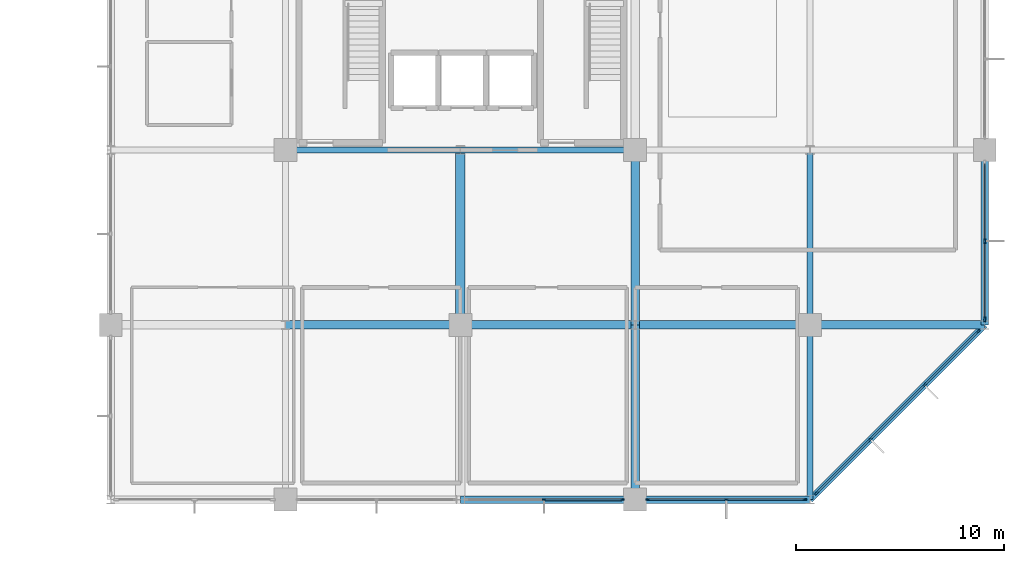
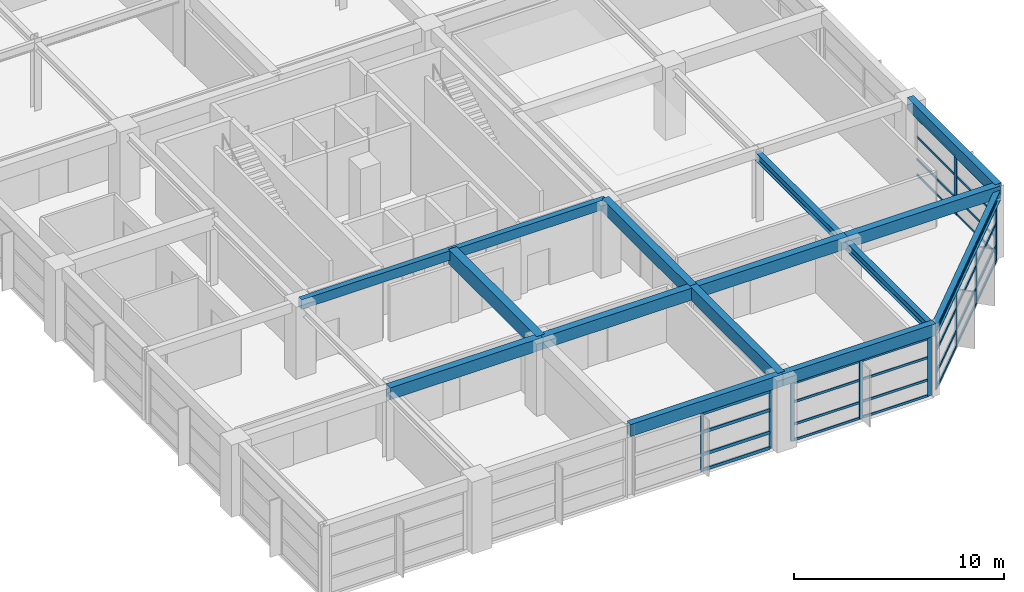
# One storey, part 7 of 18: 43 members, 15 beams, 4 elements without a shape of their own.
"""IFC4 building model written with IfcOpenShell, lengths in metres."""

from ifc_helpers import new_model, si_unit, direction, frame, origin, origin_2d, place, context, subcontext, project, spatial, rectangle, i_section, extrude, material, material_profile, profile_set, type_object, element, aggregate, save


model = new_model("IFC4")

# Units and contexts
model_context = context("Model", 3, precision=1e-05, world=origin(), true_north=direction((0.0, 1.0)))
body_context = subcontext(model_context, "Body", "Model", "MODEL_VIEW")
ifc_project = project(units=[si_unit("LENGTHUNIT", "METRE"), si_unit("AREAUNIT", "SQUARE_METRE"), si_unit("VOLUMEUNIT", "CUBIC_METRE"), si_unit("PLANEANGLEUNIT", "RADIAN"), si_unit("MASSUNIT", "GRAM", prefix="KILO")], contexts=[model_context])

# Site, building, storey
site_placement = place(None, origin())
site = spatial("IfcSite", under=ifc_project, at=site_placement, CompositionType="ELEMENT")
building_placement = place(site_placement, origin())
building = spatial("IfcBuilding", under=site, at=building_placement, Name="Xuanlan Plaza Opera House", CompositionType="ELEMENT")
storey_placement = place(building_placement, frame((0.0, 0.0, 32.10009765625)))
storey = spatial("IfcBuildingStorey", under=building, at=storey_placement, Name="L07", CompositionType="ELEMENT", Elevation=32.10009765625)

# Curtain wall, members
ifc_material_1 = material(Name="Anodised Aluminium 6063-T6 and Low-E Glass", Category="aluminium")
curtain_wall_type_1 = type_object("IfcCurtainWallType", Name="ENV-CW-CW-04", PredefinedType="USERDEFINED", material=ifc_material_1)
curtain_wall_1_placement = place(storey_placement, origin())
curtain_wall_1 = element("IfcCurtainWall", 1, at=curtain_wall_1_placement, inside=storey, type_object=curtain_wall_type_1, Name="Unitised Curtain Wall L07-003", ObjectType="UNITISED CURTAIN WALL", PredefinedType="USERDEFINED")
ifc_material_2 = material(Name="Anodised Aluminium 6063-T6", Category="aluminium")
ifc_material_profile_1 = material_profile(ifc_material_2, rectangle(XDim=0.070068359375, YDim=0.179931640625, at=origin_2d()), Name="ALU-M 70x180")
ifc_profile_set_1 = profile_set([ifc_material_profile_1], Name="Anodised Aluminium 6063-T6")
member_type_1 = type_object("IfcMemberType", Name="ENV-CWM-02", PredefinedType="MULLION", material=ifc_profile_set_1)
member_1_placement = place(storey_placement, frame((146.824951171875, 33.60009765625, 0.0), z_axis=(0.0, 0.0, 1.0), x_axis=(0.0, 1.0, 0.0)))
member_1 = element("IfcMember", 2, at=member_1_placement, type_object=member_type_1, Name="CW-04 mullion 2", PredefinedType="MULLION", context=body_context, shape_type="SweptSolid", body=[
    extrude(rectangle(XDim=0.070068359375, YDim=0.179931640625, at=origin_2d()), origin(), (0.0, 0.0, 1.0), 3.3798828125),
])
member_2_placement = place(storey_placement, frame((150.594970703125, 33.60009765625, 0.0), z_axis=(0.0, 0.0, 1.0), x_axis=(0.0, 1.0, 0.0)))
member_2 = element("IfcMember", 3, at=member_2_placement, type_object=member_type_1, Name="CW-04 mullion 3", PredefinedType="MULLION", context=body_context, shape_type="SweptSolid", body=[
    extrude(rectangle(XDim=0.070068359375, YDim=0.179931640625, at=origin_2d()), origin(), (0.0, 0.0, 1.0), 3.3798828125),
])

curtain_wall_type_2 = type_object("IfcCurtainWallType", Name="ENV-CW-CW-01", PredefinedType="USERDEFINED", material=ifc_material_1)
curtain_wall_2_placement = place(storey_placement, origin())
curtain_wall_2 = element("IfcCurtainWall", 4, at=curtain_wall_2_placement, inside=storey, type_object=curtain_wall_type_2, Name="Unitised Curtain Wall L07-004", ObjectType="UNITISED CURTAIN WALL", PredefinedType="USERDEFINED")
ifc_material_profile_2 = material_profile(ifc_material_2, rectangle(XDim=0.074951171875, YDim=0.199951171875, at=origin_2d()), Name="ALU-M 75x200")
ifc_profile_set_2 = profile_set([ifc_material_profile_2], Name="Anodised Aluminium 6063-T6")
member_type_2 = type_object("IfcMemberType", Name="ENV-CWM-03", PredefinedType="MULLION", material=ifc_profile_set_2)
member_3_placement = place(storey_placement, frame((151.8076171875, 33.60009765625, 0.0), z_axis=(0.0, 0.0, 1.0), x_axis=(0.0, 1.0, 0.0)))
member_3 = element("IfcMember", 5, at=member_3_placement, type_object=member_type_2, Name="CW-01 mullion 1", PredefinedType="MULLION", context=body_context, shape_type="SweptSolid", body=[
    extrude(rectangle(XDim=0.074951171875, YDim=0.199951171875, at=origin_2d()), origin(), (0.0, 0.0, 1.0), 3.3798828125),
])
member_4_placement = place(storey_placement, frame((155.574951171875, 33.60009765625, 0.0), z_axis=(0.0, 0.0, 1.0), x_axis=(0.0, 1.0, 0.0)))
member_4 = element("IfcMember", 6, at=member_4_placement, type_object=member_type_2, Name="CW-01 mullion 2", PredefinedType="MULLION", context=body_context, shape_type="SweptSolid", body=[
    extrude(rectangle(XDim=0.074951171875, YDim=0.199951171875, at=origin_2d()), origin(), (0.0, 0.0, 1.0), 3.3798828125),
])
member_5_placement = place(storey_placement, frame((159.342529296875, 33.60009765625, 0.0), z_axis=(0.0, 0.0, 1.0), x_axis=(0.0, 1.0, 0.0)))
member_5 = element("IfcMember", 7, at=member_5_placement, type_object=member_type_2, Name="CW-01 mullion 3", PredefinedType="MULLION", context=body_context, shape_type="SweptSolid", body=[
    extrude(rectangle(XDim=0.074951171875, YDim=0.199951171875, at=origin_2d()), origin(), (0.0, 0.0, 1.0), 3.3798828125),
])

curtain_wall_type_3 = type_object("IfcCurtainWallType", Name="ENV-CW-CW-02", PredefinedType="USERDEFINED", material=ifc_material_1)
curtain_wall_3_placement = place(storey_placement, origin())
curtain_wall_3 = element("IfcCurtainWall", 8, at=curtain_wall_3_placement, inside=storey, type_object=curtain_wall_type_3, Name="Unitised Curtain Wall L07-005", ObjectType="UNITISED CURTAIN WALL", PredefinedType="USERDEFINED")
ifc_material_profile_3 = material_profile(ifc_material_2, rectangle(XDim=0.080078125, YDim=0.219970703125, at=origin_2d()), Name="ALU-M 80x220")
ifc_profile_set_3 = profile_set([ifc_material_profile_3], Name="Anodised Aluminium 6063-T6")
member_type_3 = type_object("IfcMemberType", Name="ENV-CWM-04", PredefinedType="MULLION", material=ifc_profile_set_3)
member_6_placement = place(storey_placement, frame((159.92724609375, 33.92724609375, 0.0), z_axis=(0.0, 0.0, 1.0), x_axis=(-0.707106781187, 0.707106781187, 0.0)))
member_6 = element("IfcMember", 9, at=member_6_placement, type_object=member_type_3, Name="CW-02 mullion 1", PredefinedType="MULLION", context=body_context, shape_type="SweptSolid", body=[
    extrude(rectangle(XDim=0.080078125, YDim=0.219970703125, at=origin_2d()), origin(), (0.0, 0.0, 1.0), 3.3798828125),
])
member_7_placement = place(storey_placement, frame((162.499755859375, 36.499755859375, 0.0), z_axis=(0.0, 0.0, 1.0), x_axis=(-0.707106781187, 0.707106781187, 0.0)))
member_7 = element("IfcMember", 10, at=member_7_placement, type_object=member_type_3, Name="CW-02 mullion 2", PredefinedType="MULLION", context=body_context, shape_type="SweptSolid", body=[
    extrude(rectangle(XDim=0.080078125, YDim=0.219970703125, at=origin_2d()), origin(), (0.0, 0.0, 1.0), 3.3798828125),
])
member_8_placement = place(storey_placement, frame((165.100341796875, 39.100341796875, 0.0), z_axis=(0.0, 0.0, 1.0), x_axis=(-0.707106781187, 0.707106781187, 0.0)))
member_8 = element("IfcMember", 11, at=member_8_placement, type_object=member_type_3, Name="CW-02 mullion 3", PredefinedType="MULLION", context=body_context, shape_type="SweptSolid", body=[
    extrude(rectangle(XDim=0.080078125, YDim=0.219970703125, at=origin_2d()), origin(), (0.0, 0.0, 1.0), 3.3798828125),
])
member_9_placement = place(storey_placement, frame((167.672607421875, 41.672607421875, 0.0), z_axis=(0.0, 0.0, 1.0), x_axis=(-0.707106781187, 0.707106781187, 0.0)))
member_9 = element("IfcMember", 12, at=member_9_placement, type_object=member_type_3, Name="CW-02 mullion 4", PredefinedType="MULLION", context=body_context, shape_type="SweptSolid", body=[
    extrude(rectangle(XDim=0.080078125, YDim=0.219970703125, at=origin_2d()), origin(), (0.0, 0.0, 1.0), 3.3798828125),
])

curtain_wall_type_4 = type_object("IfcCurtainWallType", Name="ENV-CW-CW-03", PredefinedType="USERDEFINED", material=ifc_material_1)
curtain_wall_4_placement = place(storey_placement, origin())
curtain_wall_4 = element("IfcCurtainWall", 13, at=curtain_wall_4_placement, inside=storey, type_object=curtain_wall_type_4, Name="Unitised Curtain Wall L07-006", ObjectType="UNITISED CURTAIN WALL", PredefinedType="USERDEFINED")
ifc_material_profile_4 = material_profile(ifc_material_2, rectangle(XDim=0.090087890625, YDim=0.25, at=origin_2d()), Name="ALU-M 90x250")
ifc_profile_set_4 = profile_set([ifc_material_profile_4], Name="Anodised Aluminium 6063-T6")
member_type_4 = type_object("IfcMemberType", Name="ENV-CWM-05", PredefinedType="MULLION", material=ifc_profile_set_4)
member_10_placement = place(storey_placement, frame((168.0, 42.264892578125, 0.0), z_axis=(0.0, 0.0, 1.0), x_axis=(-1.0, 0.0, 0.0)))
member_10 = element("IfcMember", 14, at=member_10_placement, type_object=member_type_4, Name="CW-03 mullion 1", PredefinedType="MULLION", context=body_context, shape_type="SweptSolid", body=[
    extrude(rectangle(XDim=0.090087890625, YDim=0.25, at=origin_2d()), origin(), (0.0, 0.0, 1.0), 3.3798828125),
])
member_11_placement = place(storey_placement, frame((168.0, 46.02490234375, 0.0), z_axis=(0.0, 0.0, 1.0), x_axis=(-1.0, 0.0, 0.0)))
member_11 = element("IfcMember", 15, at=member_11_placement, type_object=member_type_4, Name="CW-03 mullion 2", PredefinedType="MULLION", context=body_context, shape_type="SweptSolid", body=[
    extrude(rectangle(XDim=0.090087890625, YDim=0.25, at=origin_2d()), origin(), (0.0, 0.0, 1.0), 3.3798828125),
])
ifc_material_profile_5 = material_profile(ifc_material_2, rectangle(XDim=0.06494140625, YDim=0.1201171875, at=origin_2d()), Name="ALU-T 65x120")
ifc_profile_set_5 = profile_set([ifc_material_profile_5], Name="Anodised Aluminium 6063-T6")
member_type_5 = type_object("IfcMemberType", Name="ENV-CWT-01", PredefinedType="USERDEFINED", material=ifc_profile_set_5)
member_12_placement = place(storey_placement, frame((168.0, 42.31005859375, 0.032470703125), z_axis=(0.0, 1.0, 0.0), x_axis=(-1.0, 0.0, 0.0)))
member_12 = element("IfcMember", 16, at=member_12_placement, type_object=member_type_5, Name="CW-03 transom 1.1", ObjectType="TRANSOM", PredefinedType="USERDEFINED", context=body_context, shape_type="SweptSolid", body=[
    extrude(rectangle(XDim=0.06494140625, YDim=0.1201171875, at=origin_2d()), origin(), (0.0, 0.0, 1.0), 3.669921875),
])
member_13_placement = place(storey_placement, frame((168.0, 42.31005859375, 0.949951171875), z_axis=(0.0, 1.0, 0.0), x_axis=(-1.0, 0.0, 0.0)))
member_13 = element("IfcMember", 17, at=member_13_placement, type_object=member_type_5, Name="CW-03 transom 1.2", ObjectType="TRANSOM", PredefinedType="USERDEFINED", context=body_context, shape_type="SweptSolid", body=[
    extrude(rectangle(XDim=0.06494140625, YDim=0.1201171875, at=origin_2d()), origin(), (0.0, 0.0, 1.0), 3.669921875),
])
member_14_placement = place(storey_placement, frame((168.0, 42.31005859375, 2.25), z_axis=(0.0, 1.0, 0.0), x_axis=(-1.0, 0.0, 0.0)))
member_14 = element("IfcMember", 18, at=member_14_placement, type_object=member_type_5, Name="CW-03 transom 1.3", ObjectType="TRANSOM", PredefinedType="USERDEFINED", context=body_context, shape_type="SweptSolid", body=[
    extrude(rectangle(XDim=0.06494140625, YDim=0.1201171875, at=origin_2d()), origin(), (0.0, 0.0, 1.0), 3.669921875),
])
member_15_placement = place(storey_placement, frame((168.0, 42.31005859375, 3.347412109375), z_axis=(0.0, 1.0, 0.0), x_axis=(-1.0, 0.0, 0.0)))
member_15 = element("IfcMember", 19, at=member_15_placement, type_object=member_type_5, Name="CW-03 transom 1.4", ObjectType="TRANSOM", PredefinedType="USERDEFINED", context=body_context, shape_type="SweptSolid", body=[
    extrude(rectangle(XDim=0.06494140625, YDim=0.1201171875, at=origin_2d()), origin(), (0.0, 0.0, 1.0), 3.669921875),
])
member_16_placement = place(storey_placement, frame((168.0, 46.070068359375, 0.032470703125), z_axis=(0.0, 1.0, 0.0), x_axis=(-1.0, 0.0, 0.0)))
member_16 = element("IfcMember", 20, at=member_16_placement, type_object=member_type_5, Name="CW-03 transom 2.1", ObjectType="TRANSOM", PredefinedType="USERDEFINED", context=body_context, shape_type="SweptSolid", body=[
    extrude(rectangle(XDim=0.06494140625, YDim=0.1201171875, at=origin_2d()), origin(), (0.0, 0.0, 1.0), 3.669921875),
])
member_17_placement = place(storey_placement, frame((168.0, 46.070068359375, 0.949951171875), z_axis=(0.0, 1.0, 0.0), x_axis=(-1.0, 0.0, 0.0)))
member_17 = element("IfcMember", 21, at=member_17_placement, type_object=member_type_5, Name="CW-03 transom 2.2", ObjectType="TRANSOM", PredefinedType="USERDEFINED", context=body_context, shape_type="SweptSolid", body=[
    extrude(rectangle(XDim=0.06494140625, YDim=0.1201171875, at=origin_2d()), origin(), (0.0, 0.0, 1.0), 3.669921875),
])
member_18_placement = place(storey_placement, frame((168.0, 46.070068359375, 2.25), z_axis=(0.0, 1.0, 0.0), x_axis=(-1.0, 0.0, 0.0)))
member_18 = element("IfcMember", 22, at=member_18_placement, type_object=member_type_5, Name="CW-03 transom 2.3", ObjectType="TRANSOM", PredefinedType="USERDEFINED", context=body_context, shape_type="SweptSolid", body=[
    extrude(rectangle(XDim=0.06494140625, YDim=0.1201171875, at=origin_2d()), origin(), (0.0, 0.0, 1.0), 3.669921875),
])
member_19_placement = place(storey_placement, frame((168.0, 46.070068359375, 3.347412109375), z_axis=(0.0, 1.0, 0.0), x_axis=(-1.0, 0.0, 0.0)))
member_19 = element("IfcMember", 23, at=member_19_placement, type_object=member_type_5, Name="CW-03 transom 2.4", ObjectType="TRANSOM", PredefinedType="USERDEFINED", context=body_context, shape_type="SweptSolid", body=[
    extrude(rectangle(XDim=0.06494140625, YDim=0.1201171875, at=origin_2d()), origin(), (0.0, 0.0, 1.0), 3.669921875),
])
aggregate(curtain_wall_4, [member_10, member_11, member_12, member_13, member_14, member_15, member_16, member_17, member_18, member_19])

# Member
ifc_material_profile_6 = material_profile(ifc_material_2, rectangle(XDim=0.070068359375, YDim=0.135009765625, at=origin_2d()), Name="ALU-T 70x135")
ifc_profile_set_6 = profile_set([ifc_material_profile_6], Name="Anodised Aluminium 6063-T6")
member_type_6 = type_object("IfcMemberType", Name="ENV-CWT-02", PredefinedType="USERDEFINED", material=ifc_profile_set_6)
member_20_placement = place(storey_placement, frame((151.844970703125, 33.60009765625, 0.034912109375), z_axis=(1.0, 0.0, 0.0), x_axis=(0.0, 1.0, 0.0)))
member_20 = element("IfcMember", 24, at=member_20_placement, type_object=member_type_6, Name="CW-01 transom 1.1", ObjectType="TRANSOM", PredefinedType="USERDEFINED", context=body_context, shape_type="SweptSolid", body=[
    extrude(rectangle(XDim=0.070068359375, YDim=0.135009765625, at=origin_2d()), origin(), (0.0, 0.0, 1.0), 3.692626953125),
])

member_21_placement = place(storey_placement, frame((151.844970703125, 33.60009765625, 0.949951171875), z_axis=(1.0, 0.0, 0.0), x_axis=(0.0, 1.0, 0.0)))
member_21 = element("IfcMember", 25, at=member_21_placement, type_object=member_type_6, Name="CW-01 transom 1.2", ObjectType="TRANSOM", PredefinedType="USERDEFINED", context=body_context, shape_type="SweptSolid", body=[
    extrude(rectangle(XDim=0.070068359375, YDim=0.135009765625, at=origin_2d()), origin(), (0.0, 0.0, 1.0), 3.692626953125),
])

member_22_placement = place(storey_placement, frame((151.844970703125, 33.60009765625, 2.25), z_axis=(1.0, 0.0, 0.0), x_axis=(0.0, 1.0, 0.0)))
member_22 = element("IfcMember", 26, at=member_22_placement, type_object=member_type_6, Name="CW-01 transom 1.3", ObjectType="TRANSOM", PredefinedType="USERDEFINED", context=body_context, shape_type="SweptSolid", body=[
    extrude(rectangle(XDim=0.070068359375, YDim=0.135009765625, at=origin_2d()), origin(), (0.0, 0.0, 1.0), 3.692626953125),
])

member_23_placement = place(storey_placement, frame((151.844970703125, 33.60009765625, 3.344970703125), z_axis=(1.0, 0.0, 0.0), x_axis=(0.0, 1.0, 0.0)))
member_23 = element("IfcMember", 27, at=member_23_placement, type_object=member_type_6, Name="CW-01 transom 1.4", ObjectType="TRANSOM", PredefinedType="USERDEFINED", context=body_context, shape_type="SweptSolid", body=[
    extrude(rectangle(XDim=0.070068359375, YDim=0.135009765625, at=origin_2d()), origin(), (0.0, 0.0, 1.0), 3.692626953125),
])

member_24_placement = place(storey_placement, frame((155.612548828125, 33.60009765625, 0.034912109375), z_axis=(1.0, 0.0, 0.0), x_axis=(0.0, 1.0, 0.0)))
member_24 = element("IfcMember", 28, at=member_24_placement, type_object=member_type_6, Name="CW-01 transom 2.1", ObjectType="TRANSOM", PredefinedType="USERDEFINED", context=body_context, shape_type="SweptSolid", body=[
    extrude(rectangle(XDim=0.070068359375, YDim=0.135009765625, at=origin_2d()), origin(), (0.0, 0.0, 1.0), 3.6923828125),
])

member_25_placement = place(storey_placement, frame((155.612548828125, 33.60009765625, 0.949951171875), z_axis=(1.0, 0.0, 0.0), x_axis=(0.0, 1.0, 0.0)))
member_25 = element("IfcMember", 29, at=member_25_placement, type_object=member_type_6, Name="CW-01 transom 2.2", ObjectType="TRANSOM", PredefinedType="USERDEFINED", context=body_context, shape_type="SweptSolid", body=[
    extrude(rectangle(XDim=0.070068359375, YDim=0.135009765625, at=origin_2d()), origin(), (0.0, 0.0, 1.0), 3.6923828125),
])

member_26_placement = place(storey_placement, frame((155.612548828125, 33.60009765625, 2.25), z_axis=(1.0, 0.0, 0.0), x_axis=(0.0, 1.0, 0.0)))
member_26 = element("IfcMember", 30, at=member_26_placement, type_object=member_type_6, Name="CW-01 transom 2.3", ObjectType="TRANSOM", PredefinedType="USERDEFINED", context=body_context, shape_type="SweptSolid", body=[
    extrude(rectangle(XDim=0.070068359375, YDim=0.135009765625, at=origin_2d()), origin(), (0.0, 0.0, 1.0), 3.6923828125),
])

member_27_placement = place(storey_placement, frame((155.612548828125, 33.60009765625, 3.344970703125), z_axis=(1.0, 0.0, 0.0), x_axis=(0.0, 1.0, 0.0)))
member_27 = element("IfcMember", 31, at=member_27_placement, type_object=member_type_6, Name="CW-01 transom 2.4", ObjectType="TRANSOM", PredefinedType="USERDEFINED", context=body_context, shape_type="SweptSolid", body=[
    extrude(rectangle(XDim=0.070068359375, YDim=0.135009765625, at=origin_2d()), origin(), (0.0, 0.0, 1.0), 3.6923828125),
])

aggregate(curtain_wall_2, [member_3, member_4, member_5, member_20, member_21, member_22, member_23, member_24, member_25, member_26, member_27])

ifc_material_profile_7 = material_profile(ifc_material_2, rectangle(XDim=0.080078125, YDim=0.1650390625, at=origin_2d()), Name="ALU-T 80x165")
ifc_profile_set_7 = profile_set([ifc_material_profile_7], Name="Anodised Aluminium 6063-T6")
member_type_7 = type_object("IfcMemberType", Name="ENV-CWT-04", PredefinedType="USERDEFINED", material=ifc_profile_set_7)
member_28_placement = place(storey_placement, frame((159.95556640625, 33.95556640625, 0.039794921875), z_axis=(0.707106781187, 0.707106781187, 0.0), x_axis=(-0.707106781187, 0.707106781187, 0.0)))
member_28 = element("IfcMember", 32, at=member_28_placement, type_object=member_type_7, Name="CW-02 transom 1.1", ObjectType="TRANSOM", PredefinedType="USERDEFINED", context=body_context, shape_type="SweptSolid", body=[
    extrude(rectangle(XDim=0.080078125, YDim=0.1650390625, at=origin_2d()), origin(), (0.0, 0.0, 1.0), 3.557861328125),
])

member_29_placement = place(storey_placement, frame((159.95556640625, 33.95556640625, 0.949951171875), z_axis=(0.707106781187, 0.707106781187, 0.0), x_axis=(-0.707106781187, 0.707106781187, 0.0)))
member_29 = element("IfcMember", 33, at=member_29_placement, type_object=member_type_7, Name="CW-02 transom 1.2", ObjectType="TRANSOM", PredefinedType="USERDEFINED", context=body_context, shape_type="SweptSolid", body=[
    extrude(rectangle(XDim=0.080078125, YDim=0.1650390625, at=origin_2d()), origin(), (0.0, 0.0, 1.0), 3.557861328125),
])

member_30_placement = place(storey_placement, frame((159.95556640625, 33.95556640625, 2.25), z_axis=(0.707106781187, 0.707106781187, 0.0), x_axis=(-0.707106781187, 0.707106781187, 0.0)))
member_30 = element("IfcMember", 34, at=member_30_placement, type_object=member_type_7, Name="CW-02 transom 1.3", ObjectType="TRANSOM", PredefinedType="USERDEFINED", context=body_context, shape_type="SweptSolid", body=[
    extrude(rectangle(XDim=0.080078125, YDim=0.1650390625, at=origin_2d()), origin(), (0.0, 0.0, 1.0), 3.557861328125),
])

member_31_placement = place(storey_placement, frame((159.95556640625, 33.95556640625, 3.33984375), z_axis=(0.707106781187, 0.707106781187, 0.0), x_axis=(-0.707106781187, 0.707106781187, 0.0)))
member_31 = element("IfcMember", 35, at=member_31_placement, type_object=member_type_7, Name="CW-02 transom 1.4", ObjectType="TRANSOM", PredefinedType="USERDEFINED", context=body_context, shape_type="SweptSolid", body=[
    extrude(rectangle(XDim=0.080078125, YDim=0.1650390625, at=origin_2d()), origin(), (0.0, 0.0, 1.0), 3.557861328125),
])

member_32_placement = place(storey_placement, frame((162.52783203125, 36.52783203125, 0.039794921875), z_axis=(0.707106781187, 0.707106781187, 0.0), x_axis=(-0.707106781187, 0.707106781187, 0.0)))
member_32 = element("IfcMember", 36, at=member_32_placement, type_object=member_type_7, Name="CW-02 transom 2.1", ObjectType="TRANSOM", PredefinedType="USERDEFINED", context=body_context, shape_type="SweptSolid", body=[
    extrude(rectangle(XDim=0.080078125, YDim=0.1650390625, at=origin_2d()), origin(), (0.0, 0.0, 1.0), 3.59814453125),
])

member_33_placement = place(storey_placement, frame((162.52783203125, 36.52783203125, 0.949951171875), z_axis=(0.707106781187, 0.707106781187, 0.0), x_axis=(-0.707106781187, 0.707106781187, 0.0)))
member_33 = element("IfcMember", 37, at=member_33_placement, type_object=member_type_7, Name="CW-02 transom 2.2", ObjectType="TRANSOM", PredefinedType="USERDEFINED", context=body_context, shape_type="SweptSolid", body=[
    extrude(rectangle(XDim=0.080078125, YDim=0.1650390625, at=origin_2d()), origin(), (0.0, 0.0, 1.0), 3.59814453125),
])

member_34_placement = place(storey_placement, frame((162.52783203125, 36.52783203125, 2.25), z_axis=(0.707106781187, 0.707106781187, 0.0), x_axis=(-0.707106781187, 0.707106781187, 0.0)))
member_34 = element("IfcMember", 38, at=member_34_placement, type_object=member_type_7, Name="CW-02 transom 2.3", ObjectType="TRANSOM", PredefinedType="USERDEFINED", context=body_context, shape_type="SweptSolid", body=[
    extrude(rectangle(XDim=0.080078125, YDim=0.1650390625, at=origin_2d()), origin(), (0.0, 0.0, 1.0), 3.59814453125),
])

member_35_placement = place(storey_placement, frame((162.52783203125, 36.52783203125, 3.33984375), z_axis=(0.707106781187, 0.707106781187, 0.0), x_axis=(-0.707106781187, 0.707106781187, 0.0)))
member_35 = element("IfcMember", 39, at=member_35_placement, type_object=member_type_7, Name="CW-02 transom 2.4", ObjectType="TRANSOM", PredefinedType="USERDEFINED", context=body_context, shape_type="SweptSolid", body=[
    extrude(rectangle(XDim=0.080078125, YDim=0.1650390625, at=origin_2d()), origin(), (0.0, 0.0, 1.0), 3.59814453125),
])

member_36_placement = place(storey_placement, frame((165.128662109375, 39.128662109375, 0.039794921875), z_axis=(0.707106781187, 0.707106781187, 0.0), x_axis=(-0.707106781187, 0.707106781187, 0.0)))
member_36 = element("IfcMember", 40, at=member_36_placement, type_object=member_type_7, Name="CW-02 transom 3.1", ObjectType="TRANSOM", PredefinedType="USERDEFINED", context=body_context, shape_type="SweptSolid", body=[
    extrude(rectangle(XDim=0.080078125, YDim=0.1650390625, at=origin_2d()), origin(), (0.0, 0.0, 1.0), 3.557861328125),
])

member_37_placement = place(storey_placement, frame((165.128662109375, 39.128662109375, 0.949951171875), z_axis=(0.707106781187, 0.707106781187, 0.0), x_axis=(-0.707106781187, 0.707106781187, 0.0)))
member_37 = element("IfcMember", 41, at=member_37_placement, type_object=member_type_7, Name="CW-02 transom 3.2", ObjectType="TRANSOM", PredefinedType="USERDEFINED", context=body_context, shape_type="SweptSolid", body=[
    extrude(rectangle(XDim=0.080078125, YDim=0.1650390625, at=origin_2d()), origin(), (0.0, 0.0, 1.0), 3.557861328125),
])

member_38_placement = place(storey_placement, frame((165.128662109375, 39.128662109375, 2.25), z_axis=(0.707106781187, 0.707106781187, 0.0), x_axis=(-0.707106781187, 0.707106781187, 0.0)))
member_38 = element("IfcMember", 42, at=member_38_placement, type_object=member_type_7, Name="CW-02 transom 3.3", ObjectType="TRANSOM", PredefinedType="USERDEFINED", context=body_context, shape_type="SweptSolid", body=[
    extrude(rectangle(XDim=0.080078125, YDim=0.1650390625, at=origin_2d()), origin(), (0.0, 0.0, 1.0), 3.557861328125),
])

member_39_placement = place(storey_placement, frame((165.128662109375, 39.128662109375, 3.33984375), z_axis=(0.707106781187, 0.707106781187, 0.0), x_axis=(-0.707106781187, 0.707106781187, 0.0)))
member_39 = element("IfcMember", 43, at=member_39_placement, type_object=member_type_7, Name="CW-02 transom 3.4", ObjectType="TRANSOM", PredefinedType="USERDEFINED", context=body_context, shape_type="SweptSolid", body=[
    extrude(rectangle(XDim=0.080078125, YDim=0.1650390625, at=origin_2d()), origin(), (0.0, 0.0, 1.0), 3.557861328125),
])

aggregate(curtain_wall_3, [member_6, member_7, member_8, member_9, member_28, member_29, member_30, member_31, member_32, member_33, member_34, member_35, member_36, member_37, member_38, member_39])

ifc_material_profile_8 = material_profile(ifc_material_2, rectangle(XDim=0.090087890625, YDim=0.179931640625, at=origin_2d()), Name="ALU-T 90x180")
ifc_profile_set_8 = profile_set([ifc_material_profile_8], Name="Anodised Aluminium 6063-T6")
member_type_8 = type_object("IfcMemberType", Name="ENV-CWT-05", PredefinedType="USERDEFINED", material=ifc_profile_set_8)
member_40_placement = place(storey_placement, frame((146.860107421875, 33.60009765625, 0.044921875), z_axis=(1.0, 0.0, 0.0), x_axis=(0.0, 1.0, 0.0)))
member_40 = element("IfcMember", 44, at=member_40_placement, type_object=member_type_8, Name="CW-04 transom 2.1", ObjectType="TRANSOM", PredefinedType="USERDEFINED", context=body_context, shape_type="SweptSolid", body=[
    extrude(rectangle(XDim=0.090087890625, YDim=0.179931640625, at=origin_2d()), origin(), (0.0, 0.0, 1.0), 3.699951171875),
])

member_41_placement = place(storey_placement, frame((146.860107421875, 33.60009765625, 0.949951171875), z_axis=(1.0, 0.0, 0.0), x_axis=(0.0, 1.0, 0.0)))
member_41 = element("IfcMember", 45, at=member_41_placement, type_object=member_type_8, Name="CW-04 transom 2.2", ObjectType="TRANSOM", PredefinedType="USERDEFINED", context=body_context, shape_type="SweptSolid", body=[
    extrude(rectangle(XDim=0.090087890625, YDim=0.179931640625, at=origin_2d()), origin(), (0.0, 0.0, 1.0), 3.699951171875),
])

member_42_placement = place(storey_placement, frame((146.860107421875, 33.60009765625, 2.25), z_axis=(1.0, 0.0, 0.0), x_axis=(0.0, 1.0, 0.0)))
member_42 = element("IfcMember", 46, at=member_42_placement, type_object=member_type_8, Name="CW-04 transom 2.3", ObjectType="TRANSOM", PredefinedType="USERDEFINED", context=body_context, shape_type="SweptSolid", body=[
    extrude(rectangle(XDim=0.090087890625, YDim=0.179931640625, at=origin_2d()), origin(), (0.0, 0.0, 1.0), 3.699951171875),
])

member_43_placement = place(storey_placement, frame((146.860107421875, 33.60009765625, 3.3349609375), z_axis=(1.0, 0.0, 0.0), x_axis=(0.0, 1.0, 0.0)))
member_43 = element("IfcMember", 47, at=member_43_placement, type_object=member_type_8, Name="CW-04 transom 2.4", ObjectType="TRANSOM", PredefinedType="USERDEFINED", context=body_context, shape_type="SweptSolid", body=[
    extrude(rectangle(XDim=0.090087890625, YDim=0.179931640625, at=origin_2d()), origin(), (0.0, 0.0, 1.0), 3.699951171875),
])

aggregate(curtain_wall_1, [member_1, member_2, member_40, member_41, member_42, member_43])

# Beams
ifc_material_3 = material(Name="Concrete C40", Category="concrete")
ifc_material_profile_9 = material_profile(ifc_material_3, rectangle(XDim=0.449951171875, YDim=0.85009765625, at=origin_2d()), Name="RC-BM 450x850")
ifc_profile_set_9 = profile_set([ifc_material_profile_9], Name="Concrete C40")
beam_type_1 = type_object("IfcBeamType", Name="STR-BM-B-04", PredefinedType="BEAM", material=ifc_profile_set_9)
beam_1_placement = place(storey_placement, frame((142.800048828125, 42.0, 3.77490234375), z_axis=(0.0, 1.0, 0.0), x_axis=(-1.0, 0.0, 0.0)))
element("IfcBeam", 48, at=beam_1_placement, inside=storey, type_object=beam_type_1, Name="Grid Beam Y L07 18/F-G", PredefinedType="BEAM", context=body_context, shape_type="SweptSolid", body=[
    extrude(rectangle(XDim=0.449951171875, YDim=0.85009765625, at=origin_2d()), origin(), (0.0, 0.0, 1.0), 8.39990234375),
])
ifc_material_profile_10 = material_profile(ifc_material_3, rectangle(XDim=0.39990234375, YDim=0.75, at=origin_2d()), Name="RC-BM 400x750")
ifc_profile_set_10 = profile_set([ifc_material_profile_10], Name="Concrete C40")
beam_type_2 = type_object("IfcBeamType", Name="STR-BM-B-06", PredefinedType="BEAM", material=ifc_profile_set_10)
for number, where, z_axis, x_axis, name in (
    (49, (151.199951171875, 33.60009765625, 3.824951171875), (0.0, 1.0, 0.0), (-1.0, 0.0, 0.0), "Grid Beam Y L07 19/E-F"),
    (50, (151.199951171875, 42.0, 3.824951171875), (0.0, 1.0, 0.0), (-1.0, 0.0, 0.0), "Grid Beam Y L07 19/F-G"),
):
    element("IfcBeam", number, at=place(storey_placement, frame(where, z_axis=z_axis, x_axis=x_axis)), inside=storey, type_object=beam_type_2, Name=name, PredefinedType="BEAM", context=body_context, shape_type="SweptSolid", body=[
        extrude(rectangle(XDim=0.39990234375, YDim=0.75, at=origin_2d()), origin(), (0.0, 0.0, 1.0), 8.39990234375),
    ])
ifc_material_profile_11 = material_profile(ifc_material_3, rectangle(XDim=0.39990234375, YDim=0.699951171875, at=origin_2d()), Name="RC-BM 400x700")
ifc_profile_set_11 = profile_set([ifc_material_profile_11], Name="Concrete C40")
beam_type_3 = type_object("IfcBeamType", Name="STR-BM-B-07", PredefinedType="BEAM", material=ifc_profile_set_11)
beam_2_placement = place(storey_placement, frame((134.39990234375, 42.0, 3.849853515625), z_axis=(1.0, 0.0, 0.0), x_axis=(0.0, 1.0, 0.0)))
element("IfcBeam", 51, at=beam_2_placement, inside=storey, type_object=beam_type_3, Name="Grid Beam X L07 17-18/F", PredefinedType="BEAM", context=body_context, shape_type="SweptSolid", body=[
    extrude(rectangle(XDim=0.39990234375, YDim=0.699951171875, at=origin_2d()), origin(), (0.0, 0.0, 1.0), 8.400146484375),
])
beam_3_placement = place(storey_placement, frame((142.800048828125, 42.0, 3.849853515625), z_axis=(1.0, 0.0, 0.0), x_axis=(0.0, 1.0, 0.0)))
element("IfcBeam", 52, at=beam_3_placement, inside=storey, type_object=beam_type_3, Name="Grid Beam X L07 18-19/F", PredefinedType="BEAM", context=body_context, shape_type="SweptSolid", body=[
    extrude(rectangle(XDim=0.39990234375, YDim=0.699951171875, at=origin_2d()), origin(), (0.0, 0.0, 1.0), 8.39990234375),
])
beam_4_placement = place(storey_placement, frame((151.199951171875, 42.0, 3.849853515625), z_axis=(1.0, 0.0, 0.0), x_axis=(0.0, 1.0, 0.0)))
element("IfcBeam", 53, at=beam_4_placement, inside=storey, type_object=beam_type_3, Name="Grid Beam X L07 19-20/F", PredefinedType="BEAM", context=body_context, shape_type="SweptSolid", body=[
    extrude(rectangle(XDim=0.39990234375, YDim=0.699951171875, at=origin_2d()), origin(), (0.0, 0.0, 1.0), 8.400146484375),
])
beam_5_placement = place(storey_placement, frame((159.60009765625, 42.0, 3.849853515625), z_axis=(1.0, 0.0, 0.0), x_axis=(0.0, 1.0, 0.0)))
element("IfcBeam", 54, at=beam_5_placement, inside=storey, type_object=beam_type_3, Name="Grid Beam X L07 20-21/F", PredefinedType="BEAM", context=body_context, shape_type="SweptSolid", body=[
    extrude(rectangle(XDim=0.39990234375, YDim=0.699951171875, at=origin_2d()), origin(), (0.0, 0.0, 1.0), 8.39990234375),
])
ifc_material_profile_12 = material_profile(ifc_material_3, rectangle(XDim=0.300048828125, YDim=0.550048828125, at=origin_2d()), Name="RC-BM 300x550")
ifc_profile_set_12 = profile_set([ifc_material_profile_12], Name="Concrete C40")
beam_type_4 = type_object("IfcBeamType", Name="STR-BM-B-09", PredefinedType="BEAM", material=ifc_profile_set_12)
beam_6_placement = place(storey_placement, frame((134.39990234375, 50.39990234375, 3.9248046875), z_axis=(1.0, 0.0, 0.0), x_axis=(0.0, 1.0, 0.0)))
element("IfcBeam", 55, at=beam_6_placement, inside=storey, type_object=beam_type_4, Name="Grid Beam X L07 17-18/G", PredefinedType="BEAM", context=body_context, shape_type="SweptSolid", body=[
    extrude(rectangle(XDim=0.300048828125, YDim=0.550048828125, at=origin_2d()), origin(), (0.0, 0.0, 1.0), 8.400146484375),
])
beam_7_placement = place(storey_placement, frame((142.800048828125, 50.39990234375, 3.9248046875), z_axis=(1.0, 0.0, 0.0), x_axis=(0.0, 1.0, 0.0)))
element("IfcBeam", 56, at=beam_7_placement, inside=storey, type_object=beam_type_4, Name="Grid Beam X L07 18-19/G", PredefinedType="BEAM", context=body_context, shape_type="SweptSolid", body=[
    extrude(rectangle(XDim=0.300048828125, YDim=0.550048828125, at=origin_2d()), origin(), (0.0, 0.0, 1.0), 8.39990234375),
])
ifc_material_4 = material(Name="Steel Q355B", Category="steel")
ifc_material_profile_13 = material_profile(ifc_material_4, i_section(OverallWidth=0.300048828125, OverallDepth=0.488037109375, WebThickness=0.010986328125, FlangeThickness=0.01806640625, FilletRadius=0.02197265625, at=origin_2d()), Name="HM 488x300x11x18")
ifc_profile_set_13 = profile_set([ifc_material_profile_13], Name="Steel Q355B")
beam_type_5 = type_object("IfcBeamType", Name="STR-BM-SB-07", PredefinedType="BEAM", material=ifc_profile_set_13)
for number, where, z_axis, x_axis, name in (
    (57, (159.60009765625, 33.60009765625, 3.7109375), (0.0, 1.0, 0.0), (-1.0, 0.0, 0.0), "Grid Beam Y L07 20/E-F"),
    (58, (159.60009765625, 42.0, 3.7109375), (0.0, 1.0, 0.0), (-1.0, 0.0, 0.0), "Grid Beam Y L07 20/F-G"),
):
    element("IfcBeam", number, at=place(storey_placement, frame(where, z_axis=z_axis, x_axis=x_axis)), inside=storey, type_object=beam_type_5, Name=name, PredefinedType="BEAM", context=body_context, shape_type="SweptSolid", body=[
        extrude(i_section(OverallWidth=0.300048828125, OverallDepth=0.488037109375, WebThickness=0.010986328125, FlangeThickness=0.01806640625, FilletRadius=0.02197265625, at=origin_2d()), origin(), (0.0, 0.0, 1.0), 8.39990234375),
    ])
ifc_material_profile_14 = material_profile(ifc_material_3, rectangle(XDim=0.35009765625, YDim=0.699951171875, at=origin_2d()), Name="RC-SPD 350x700")
ifc_profile_set_14 = profile_set([ifc_material_profile_14], Name="Concrete C40")
beam_type_6 = type_object("IfcBeamType", Name="STR-BM-SP-02", PredefinedType="SPANDREL", material=ifc_profile_set_14)
beam_8_placement = place(storey_placement, frame((142.800048828125, 33.60009765625, 3.849853515625), z_axis=(1.0, 0.0, 0.0), x_axis=(0.0, 1.0, 0.0)))
element("IfcBeam", 59, at=beam_8_placement, inside=storey, type_object=beam_type_6, Name="Grid Beam X L07 18-19/E", PredefinedType="SPANDREL", context=body_context, shape_type="SweptSolid", body=[
    extrude(rectangle(XDim=0.35009765625, YDim=0.699951171875, at=origin_2d()), origin(), (0.0, 0.0, 1.0), 8.39990234375),
])
beam_9_placement = place(storey_placement, frame((151.199951171875, 33.60009765625, 3.849853515625), z_axis=(1.0, 0.0, 0.0), x_axis=(0.0, 1.0, 0.0)))
element("IfcBeam", 60, at=beam_9_placement, inside=storey, type_object=beam_type_6, Name="Grid Beam X L07 19-20/E", PredefinedType="SPANDREL", context=body_context, shape_type="SweptSolid", body=[
    extrude(rectangle(XDim=0.35009765625, YDim=0.699951171875, at=origin_2d()), origin(), (0.0, 0.0, 1.0), 8.400146484375),
])
beam_10_placement = place(storey_placement, frame((168.0, 42.0, 3.849853515625), z_axis=(0.0, 1.0, 0.0), x_axis=(-1.0, 0.0, 0.0)))
element("IfcBeam", 61, at=beam_10_placement, inside=storey, type_object=beam_type_6, Name="Grid Beam Y L07 21/F-G", PredefinedType="SPANDREL", context=body_context, shape_type="SweptSolid", body=[
    extrude(rectangle(XDim=0.35009765625, YDim=0.699951171875, at=origin_2d()), origin(), (0.0, 0.0, 1.0), 8.39990234375),
])
ifc_material_profile_15 = material_profile(ifc_material_4, i_section(OverallWidth=0.300048828125, OverallDepth=0.587890625, WebThickness=0.011962890625, FlangeThickness=0.02001953125, FilletRadius=0.02392578125, at=origin_2d()), Name="HM 588x300x12x20")
ifc_profile_set_15 = profile_set([ifc_material_profile_15], Name="Steel Q355B")
beam_type_7 = type_object("IfcBeamType", Name="STR-BM-SP-03", PredefinedType="SPANDREL", material=ifc_profile_set_15)
beam_11_placement = place(storey_placement, frame((159.60009765625, 33.60009765625, 3.660888671875), z_axis=(0.707106781187, 0.707106781187, 0.0), x_axis=(-0.707106781187, 0.707106781187, 0.0)))
element("IfcBeam", 62, at=beam_11_placement, inside=storey, type_object=beam_type_7, Name="Faceted Edge Spandrel L07 CH01", PredefinedType="SPANDREL", context=body_context, shape_type="SweptSolid", body=[
    extrude(i_section(OverallWidth=0.300048828125, OverallDepth=0.587890625, WebThickness=0.011962890625, FlangeThickness=0.02001953125, FilletRadius=0.02392578125, at=origin_2d()), origin(), (0.0, 0.0, 1.0), 11.879150390625),
])

save(model, "model.ifc")
